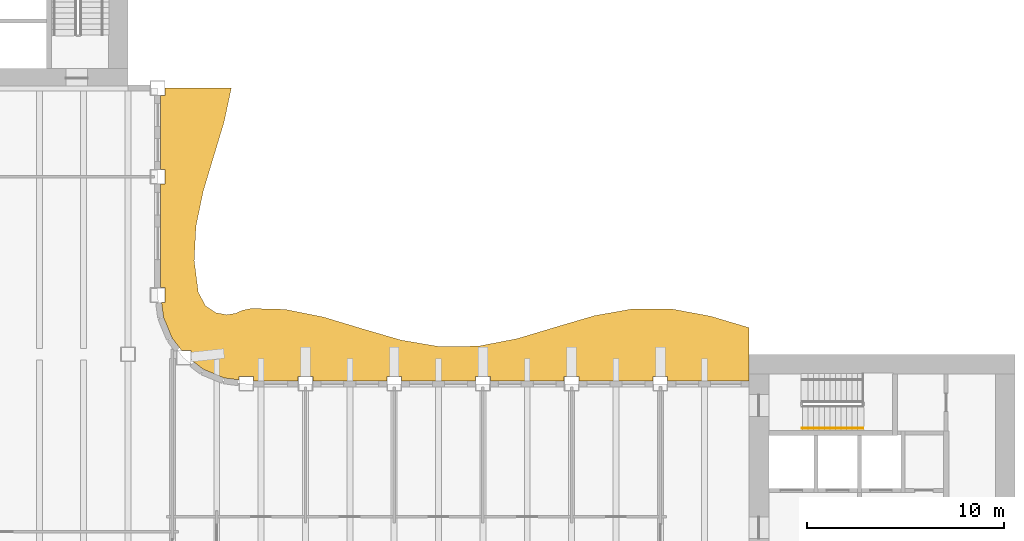
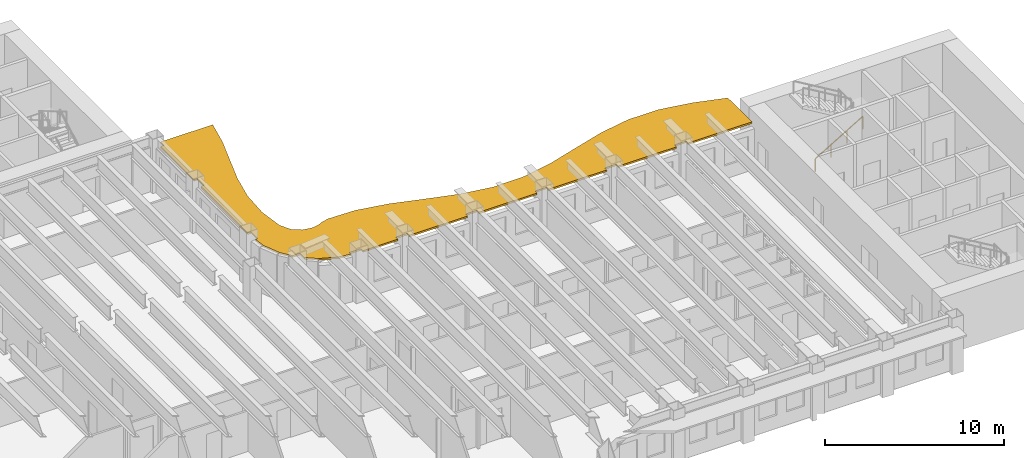
# One storey, part 14 of 16: 1 railing, 1 shading device.
"""IFC4 building model written with IfcOpenShell, lengths in metres."""

from ifc_helpers import new_model, si_unit, direction, frame, origin, origin_2d, place, context, subcontext, project, spatial, polyline, rectangle, outline, extrude, material, layer, layer_set, type_object, element, save


model = new_model("IFC4")

# Units and contexts
model_context = context("Model", 3, precision=1e-05, world=origin(), true_north=direction((0.0, 1.0)))
body_context = subcontext(model_context, "Body", "Model", "MODEL_VIEW")
ifc_project = project(units=[si_unit("LENGTHUNIT", "METRE"), si_unit("AREAUNIT", "SQUARE_METRE"), si_unit("VOLUMEUNIT", "CUBIC_METRE"), si_unit("PLANEANGLEUNIT", "RADIAN"), si_unit("MASSUNIT", "GRAM", prefix="KILO")], contexts=[model_context])

# Site, building, storey
site_placement = place(None, origin())
site = spatial("IfcSite", under=ifc_project, at=site_placement, CompositionType="ELEMENT")
building_placement = place(site_placement, origin())
building = spatial("IfcBuilding", under=site, at=building_placement, Name="Sennacour Bend Tower", CompositionType="ELEMENT")
storey_placement = place(building_placement, frame((0.0, 0.0, 239.0)))
storey = spatial("IfcBuildingStorey", under=building, at=storey_placement, Name="L55", CompositionType="ELEMENT", Elevation=239.0)

# Railing
ifc_material_1 = material(Name="Stainless steel", Category="steel")
railing_type = type_object("IfcRailingType", Name="RL-HANDRAIL-900", PredefinedType="HANDRAIL", material=ifc_material_1)
railing_placement = place(storey_placement, frame((56.699951171875, 18.75, 0.166748046875)))
element("IfcRailing", 1, at=railing_placement, inside=storey, type_object=railing_type, Name="L55 SA2 stair handrail 1", PredefinedType="HANDRAIL", context=body_context, shape_type="SweptSolid", body=[
    extrude(rectangle(XDim=0.048095703125, YDim=0.048095703125, at=origin_2d()), frame((0.0, 0.0, 0.8759765625), z_axis=(0.859308565015, 0.0, 0.511457515432), x_axis=(0.0, 1.0, 0.0)), (0.0, 0.0, 1.0), 3.58447265625),
    extrude(rectangle(XDim=0.0419921875, YDim=0.0419921875, at=origin_2d()), origin(), (0.0, 0.0, 1.0), 0.851806640625),
    extrude(rectangle(XDim=0.0419921875, YDim=0.0419921875, at=origin_2d()), frame((1.026611328125, 0.0, 0.611083984375)), (0.0, 0.0, 1.0), 0.851806640625),
    extrude(rectangle(XDim=0.0419921875, YDim=0.0419921875, at=origin_2d()), frame((2.053466796875, 0.0, 1.22216796875)), (0.0, 0.0, 1.0), 0.851806640625),
    extrude(rectangle(XDim=0.0419921875, YDim=0.0419921875, at=origin_2d()), frame((3.080078125, 0.0, 1.833251953125)), (0.0, 0.0, 1.0), 0.851806640625),
])

# Shading device
ifc_material_2 = material(Name="Bronze anodised aluminium", Category="aluminium")
ifc_layer = layer(ifc_material_2, 0.1201171875, Name="Bronze anodised aluminium", Category="aluminium")
ifc_layer_set = layer_set([ifc_layer], Name="Bronze anodised aluminium")
shading_device_type = type_object("IfcShadingDeviceType", Name="SUNSHADE BAND WAVE", PredefinedType="USERDEFINED", material=ifc_layer_set)
shading_device_placement = place(storey_placement, frame((0.0, 0.0, 2.93701171875)))
element("IfcShadingDevice", 2, at=shading_device_placement, inside=storey, type_object=shading_device_type, Name="Sunshade band L55 concave faces", ObjectType="SUNSHADE", PredefinedType="USERDEFINED", context=body_context, shape_type="SweptSolid", body=[
    extrude(outline(polyline([(54.0, 21.14990234375), (49.875, 21.14990234375), (49.875, 21.375), (49.125, 21.375), (49.125, 21.14990234375), (45.375, 21.14990234375), (45.375, 21.375), (44.625, 21.375), (44.625, 21.14990234375), (40.875, 21.14990234375), (40.875, 21.375), (40.125, 21.375), (40.125, 21.14990234375), (36.375, 21.14990234375), (36.375, 21.375), (35.625, 21.375), (35.625, 21.14990234375), (31.875, 21.14990234375), (31.875, 21.375), (31.125, 21.375), (31.125, 21.14990234375), (28.875, 21.14990234375), (28.875, 21.375), (28.125, 21.375), (28.125, 21.20068359375), (27.37451171875, 21.299560546875), (26.32568359375, 21.73388671875), (25.693115234375, 22.21923828125), (25.693115234375, 22.693115234375), (25.21923828125, 22.693115234375), (24.73388671875, 23.32568359375), (24.299560546875, 24.37451171875), (24.20068359375, 25.125), (24.375, 25.125), (24.375, 25.875), (24.14990234375, 25.875), (24.14990234375, 31.125), (24.375, 31.125), (24.375, 31.875), (24.14990234375, 31.875), (24.14990234375, 35.625), (24.375, 35.625), (24.375, 36.0), (27.738525390625, 36.0), (27.36328125, 34.25), (26.83349609375, 32.5), (26.308837890625, 30.75), (25.947021484375, 29.0), (25.856201171875, 27.25), (26.064208984375, 25.63525390625), (26.4365234375, 24.947021484375), (26.95458984375, 24.60791015625), (27.50244140625, 24.50244140625), (27.966796875, 24.576416015625), (28.293212890625, 24.72802734375), (28.75048828125, 24.82177734375), (30.46142578125, 24.777099609375), (32.423095703125, 24.384521484375), (34.384521484375, 23.79150390625), (36.34619140625, 23.220458984375), (38.3076171875, 22.885498046875), (40.269287109375, 22.912353515625), (42.230712890625, 23.291015625), (44.1923828125, 23.87939453125), (46.15380859375, 24.45654296875), (48.115478515625, 24.806396484375), (50.076904296875, 24.79736328125), (52.03857421875, 24.43310546875), (54.0, 23.85009765625), (54.0, 21.14990234375)])), origin(), (0.0, 0.0, 1.0), 0.119873046875),
])

save(model, "model.ifc")
